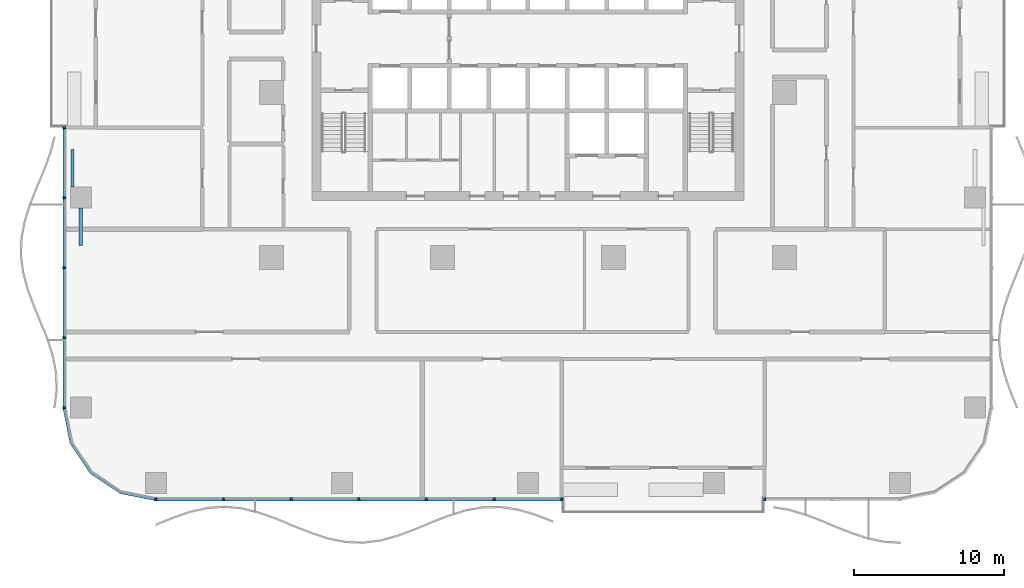
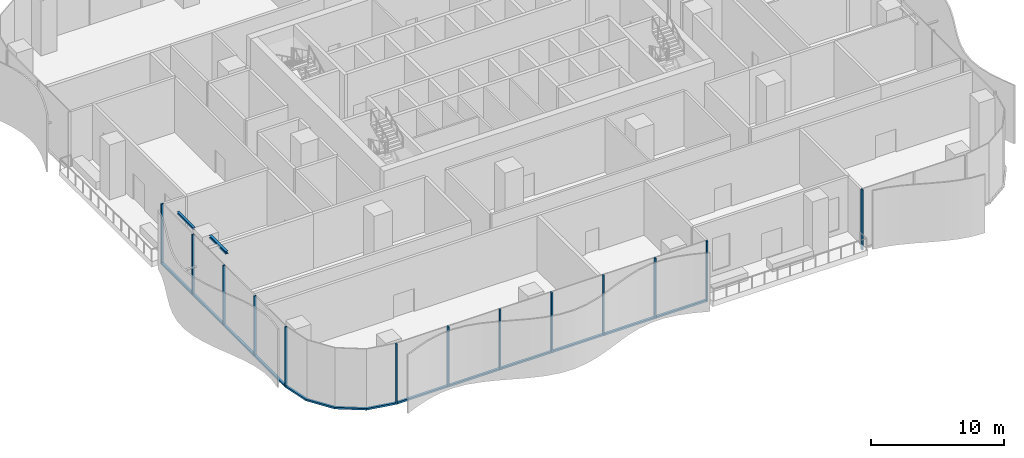
# One storey, part 2 of 20: 24 members, 2 beams, 4 elements without a shape of their own.
"""IFC4 building model written with IfcOpenShell, lengths in metres."""

from ifc_helpers import new_model, si_unit, direction, frame, origin, origin_2d, place, context, subcontext, project, spatial, polyline, rectangle, i_section, outline, extrude, material, material_profile, profile_set, type_object, element, aggregate, save


model = new_model("IFC4")

# Units and contexts
model_context = context("Model", 3, precision=1e-05, world=origin(), true_north=direction((0.0, 1.0)))
body_context = subcontext(model_context, "Body", "Model", "MODEL_VIEW")
ifc_project = project(units=[si_unit("LENGTHUNIT", "METRE"), si_unit("AREAUNIT", "SQUARE_METRE"), si_unit("VOLUMEUNIT", "CUBIC_METRE"), si_unit("PLANEANGLEUNIT", "RADIAN"), si_unit("MASSUNIT", "GRAM", prefix="KILO")], contexts=[model_context])

# Site, building, storey
site_placement = place(None, origin())
site = spatial("IfcSite", under=ifc_project, at=site_placement, CompositionType="ELEMENT")
building_placement = place(site_placement, origin())
building = spatial("IfcBuilding", under=site, at=building_placement, Name="Mopane Tessera Tower", CompositionType="ELEMENT")
storey_placement = place(building_placement, frame((0.0, 0.0, 25.5)))
storey = spatial("IfcBuildingStorey", under=building, at=storey_placement, Name="L04", CompositionType="ELEMENT", Elevation=25.5)

# Curtain wall, members
ifc_material_1 = material(Name="Aluminium frame", Category="aluminium")
curtain_wall_type = type_object("IfcCurtainWallType", Name="Podium unitised wall", PredefinedType="NOTDEFINED", material=ifc_material_1)
curtain_wall_1_placement = place(storey_placement, origin())
curtain_wall_1 = element("IfcCurtainWall", 1, at=curtain_wall_1_placement, inside=storey, type_object=curtain_wall_type, Name="e:cw:L04:S:0", PredefinedType="NOTDEFINED")
ifc_material_2 = material(Name="Aluminium frame", Category="aluminium")
ifc_material_profile_1 = material_profile(ifc_material_2, rectangle(XDim=0.125, YDim=0.199951171875, at=origin_2d()))
ifc_profile_set_1 = profile_set([ifc_material_profile_1], Name="Aluminium frame")
member_type_1 = type_object("IfcMemberType", Name="Aluminium mullion 125 x 200", PredefinedType="MULLION", material=ifc_profile_set_1)
member_1_placement = place(storey_placement, frame((-24.800048828125, -27.10009765625, -0.5), z_axis=(0.0, 0.0, 1.0), x_axis=(1.0, 0.0, 0.0)))
member_1 = element("IfcMember", 2, at=member_1_placement, type_object=member_type_1, Name="e:cw:L04:S:0:mu0", PredefinedType="MULLION", context=body_context, shape_type="SweptSolid", body=[
    extrude(rectangle(XDim=0.125, YDim=0.199951171875, at=origin_2d()), origin(), (0.0, 0.0, 1.0), 5.550048828125),
])
member_2_placement = place(storey_placement, frame((-20.291015625, -27.10009765625, -0.5), z_axis=(0.0, 0.0, 1.0), x_axis=(1.0, 0.0, 0.0)))
member_2 = element("IfcMember", 3, at=member_2_placement, type_object=member_type_1, Name="e:cw:L04:S:0:mu1", PredefinedType="MULLION", context=body_context, shape_type="SweptSolid", body=[
    extrude(rectangle(XDim=0.125, YDim=0.199951171875, at=origin_2d()), origin(), (0.0, 0.0, 1.0), 5.550048828125),
])
member_3_placement = place(storey_placement, frame((-15.78173828125, -27.10009765625, -0.5), z_axis=(0.0, 0.0, 1.0), x_axis=(1.0, 0.0, 0.0)))
member_3 = element("IfcMember", 4, at=member_3_placement, type_object=member_type_1, Name="e:cw:L04:S:0:mu2", PredefinedType="MULLION", context=body_context, shape_type="SweptSolid", body=[
    extrude(rectangle(XDim=0.125, YDim=0.199951171875, at=origin_2d()), origin(), (0.0, 0.0, 1.0), 5.550048828125),
])
member_4_placement = place(storey_placement, frame((-11.272705078125, -27.10009765625, -0.5), z_axis=(0.0, 0.0, 1.0), x_axis=(1.0, 0.0, 0.0)))
member_4 = element("IfcMember", 5, at=member_4_placement, type_object=member_type_1, Name="e:cw:L04:S:0:mu3", PredefinedType="MULLION", context=body_context, shape_type="SweptSolid", body=[
    extrude(rectangle(XDim=0.125, YDim=0.199951171875, at=origin_2d()), origin(), (0.0, 0.0, 1.0), 5.550048828125),
])
member_5_placement = place(storey_placement, frame((-6.763671875, -27.10009765625, -0.5), z_axis=(0.0, 0.0, 1.0), x_axis=(1.0, 0.0, 0.0)))
member_5 = element("IfcMember", 6, at=member_5_placement, type_object=member_type_1, Name="e:cw:L04:S:0:mu4", PredefinedType="MULLION", context=body_context, shape_type="SweptSolid", body=[
    extrude(rectangle(XDim=0.125, YDim=0.199951171875, at=origin_2d()), origin(), (0.0, 0.0, 1.0), 5.550048828125),
])
member_6_placement = place(storey_placement, frame((-2.254638671875, -27.10009765625, -0.5), z_axis=(0.0, 0.0, 1.0), x_axis=(1.0, 0.0, 0.0)))
member_6 = element("IfcMember", 7, at=member_6_placement, type_object=member_type_1, Name="e:cw:L04:S:0:mu5", PredefinedType="MULLION", context=body_context, shape_type="SweptSolid", body=[
    extrude(rectangle(XDim=0.125, YDim=0.199951171875, at=origin_2d()), origin(), (0.0, 0.0, 1.0), 5.550048828125),
])
member_7_placement = place(storey_placement, frame((2.254638671875, -27.10009765625, -0.5), z_axis=(0.0, 0.0, 1.0), x_axis=(1.0, 0.0, 0.0)))
member_7 = element("IfcMember", 8, at=member_7_placement, type_object=member_type_1, Name="e:cw:L04:S:0:mu6", PredefinedType="MULLION", context=body_context, shape_type="SweptSolid", body=[
    extrude(rectangle(XDim=0.125, YDim=0.199951171875, at=origin_2d()), origin(), (0.0, 0.0, 1.0), 5.550048828125),
])

# Curtain wall, member
curtain_wall_2_placement = place(storey_placement, origin())
curtain_wall_2 = element("IfcCurtainWall", 9, at=curtain_wall_2_placement, inside=storey, type_object=curtain_wall_type, Name="e:cw:L04:S:9", PredefinedType="NOTDEFINED")
member_8_placement = place(storey_placement, frame((15.78173828125, -27.10009765625, -0.5), z_axis=(0.0, 0.0, 1.0), x_axis=(1.0, 0.0, 0.0)))
member_8 = element("IfcMember", 10, at=member_8_placement, type_object=member_type_1, Name="e:cw:L04:S:9:mu9", PredefinedType="MULLION", context=body_context, shape_type="SweptSolid", body=[
    extrude(rectangle(XDim=0.125, YDim=0.199951171875, at=origin_2d()), origin(), (0.0, 0.0, 1.0), 5.550048828125),
])
aggregate(curtain_wall_2, [member_8])

# Curtain wall, members
curtain_wall_3_placement = place(storey_placement, origin())
curtain_wall_3 = element("IfcCurtainWall", 11, at=curtain_wall_3_placement, inside=storey, type_object=curtain_wall_type, Name="e:cw:L04:W:5", PredefinedType="NOTDEFINED")
member_9_placement = place(storey_placement, frame((-30.89990234375, -2.333251953125, -0.5), z_axis=(0.0, 0.0, 1.0), x_axis=(0.0, -1.0, 0.0)))
member_9 = element("IfcMember", 12, at=member_9_placement, type_object=member_type_1, Name="e:cw:L04:W:5:mu5", PredefinedType="MULLION", context=body_context, shape_type="SweptSolid", body=[
    extrude(rectangle(XDim=0.125, YDim=0.199951171875, at=origin_2d()), origin(), (0.0, 0.0, 1.0), 5.550048828125),
])
member_10_placement = place(storey_placement, frame((-30.89990234375, -7.0, -0.5), z_axis=(0.0, 0.0, 1.0), x_axis=(0.0, -1.0, 0.0)))
member_10 = element("IfcMember", 13, at=member_10_placement, type_object=member_type_1, Name="e:cw:L04:W:5:mu6", PredefinedType="MULLION", context=body_context, shape_type="SweptSolid", body=[
    extrude(rectangle(XDim=0.125, YDim=0.199951171875, at=origin_2d()), origin(), (0.0, 0.0, 1.0), 5.550048828125),
])
member_11_placement = place(storey_placement, frame((-30.89990234375, -11.666748046875, -0.5), z_axis=(0.0, 0.0, 1.0), x_axis=(0.0, -1.0, 0.0)))
member_11 = element("IfcMember", 14, at=member_11_placement, type_object=member_type_1, Name="e:cw:L04:W:5:mu7", PredefinedType="MULLION", context=body_context, shape_type="SweptSolid", body=[
    extrude(rectangle(XDim=0.125, YDim=0.199951171875, at=origin_2d()), origin(), (0.0, 0.0, 1.0), 5.550048828125),
])
member_12_placement = place(storey_placement, frame((-30.89990234375, -16.333251953125, -0.5), z_axis=(0.0, 0.0, 1.0), x_axis=(0.0, -1.0, 0.0)))
member_12 = element("IfcMember", 15, at=member_12_placement, type_object=member_type_1, Name="e:cw:L04:W:5:mu8", PredefinedType="MULLION", context=body_context, shape_type="SweptSolid", body=[
    extrude(rectangle(XDim=0.125, YDim=0.199951171875, at=origin_2d()), origin(), (0.0, 0.0, 1.0), 5.550048828125),
])
member_13_placement = place(storey_placement, frame((-30.89990234375, -21.0, -0.5), z_axis=(0.0, 0.0, 1.0), x_axis=(0.0, -1.0, 0.0)))
member_13 = element("IfcMember", 16, at=member_13_placement, type_object=member_type_1, Name="e:cw:L04:W:5:mu9", PredefinedType="MULLION", context=body_context, shape_type="SweptSolid", body=[
    extrude(rectangle(XDim=0.125, YDim=0.199951171875, at=origin_2d()), origin(), (0.0, 0.0, 1.0), 5.550048828125),
])

# Member
ifc_material_3 = material(Name="Aluminium frame", Category="aluminium")
ifc_material_profile_2 = material_profile(ifc_material_3, rectangle(XDim=0.199951171875, YDim=0.159912109375, at=origin_2d()))
ifc_profile_set_2 = profile_set([ifc_material_profile_2], Name="Aluminium frame")
member_type_2 = type_object("IfcMemberType", Name="Aluminium transom 200 x 160", PredefinedType="USERDEFINED", material=ifc_profile_set_2)
member_14_placement = place(storey_placement, frame((-24.737548828125, -27.10009765625, -0.419921875), z_axis=(1.0, 0.0, 0.0), x_axis=(0.0, 1.0, 0.0)))
member_14 = element("IfcMember", 17, at=member_14_placement, type_object=member_type_2, Name="e:cw:L04:S:0:tr0", ObjectType="TRANSOM", PredefinedType="USERDEFINED", context=body_context, shape_type="SweptSolid", body=[
    extrude(rectangle(XDim=0.199951171875, YDim=0.159912109375, at=origin_2d()), origin(), (0.0, 0.0, 1.0), 4.384033203125),
])

member_15_placement = place(storey_placement, frame((-20.228515625, -27.10009765625, -0.419921875), z_axis=(1.0, 0.0, 0.0), x_axis=(0.0, 1.0, 0.0)))
member_15 = element("IfcMember", 18, at=member_15_placement, type_object=member_type_2, Name="e:cw:L04:S:0:tr1", ObjectType="TRANSOM", PredefinedType="USERDEFINED", context=body_context, shape_type="SweptSolid", body=[
    extrude(rectangle(XDim=0.199951171875, YDim=0.159912109375, at=origin_2d()), origin(), (0.0, 0.0, 1.0), 4.38427734375),
])

member_16_placement = place(storey_placement, frame((-15.71923828125, -27.10009765625, -0.419921875), z_axis=(1.0, 0.0, 0.0), x_axis=(0.0, 1.0, 0.0)))
member_16 = element("IfcMember", 19, at=member_16_placement, type_object=member_type_2, Name="e:cw:L04:S:0:tr2", ObjectType="TRANSOM", PredefinedType="USERDEFINED", context=body_context, shape_type="SweptSolid", body=[
    extrude(rectangle(XDim=0.199951171875, YDim=0.159912109375, at=origin_2d()), origin(), (0.0, 0.0, 1.0), 4.384033203125),
])

member_17_placement = place(storey_placement, frame((-11.210205078125, -27.10009765625, -0.419921875), z_axis=(1.0, 0.0, 0.0), x_axis=(0.0, 1.0, 0.0)))
member_17 = element("IfcMember", 20, at=member_17_placement, type_object=member_type_2, Name="e:cw:L04:S:0:tr3", ObjectType="TRANSOM", PredefinedType="USERDEFINED", context=body_context, shape_type="SweptSolid", body=[
    extrude(rectangle(XDim=0.199951171875, YDim=0.159912109375, at=origin_2d()), origin(), (0.0, 0.0, 1.0), 4.384033203125),
])

member_18_placement = place(storey_placement, frame((-6.701171875, -27.10009765625, -0.419921875), z_axis=(1.0, 0.0, 0.0), x_axis=(0.0, 1.0, 0.0)))
member_18 = element("IfcMember", 21, at=member_18_placement, type_object=member_type_2, Name="e:cw:L04:S:0:tr4", ObjectType="TRANSOM", PredefinedType="USERDEFINED", context=body_context, shape_type="SweptSolid", body=[
    extrude(rectangle(XDim=0.199951171875, YDim=0.159912109375, at=origin_2d()), origin(), (0.0, 0.0, 1.0), 4.384033203125),
])

member_19_placement = place(storey_placement, frame((-2.192138671875, -27.10009765625, -0.419921875), z_axis=(1.0, 0.0, 0.0), x_axis=(0.0, 1.0, 0.0)))
member_19 = element("IfcMember", 22, at=member_19_placement, type_object=member_type_2, Name="e:cw:L04:S:0:tr5", ObjectType="TRANSOM", PredefinedType="USERDEFINED", context=body_context, shape_type="SweptSolid", body=[
    extrude(rectangle(XDim=0.199951171875, YDim=0.159912109375, at=origin_2d()), origin(), (0.0, 0.0, 1.0), 4.38427734375),
])

aggregate(curtain_wall_1, [member_1, member_2, member_3, member_4, member_5, member_6, member_7, member_14, member_15, member_16, member_17, member_18, member_19])

member_20_placement = place(storey_placement, frame((-30.89990234375, -2.395751953125, -0.419921875), z_axis=(0.0, -1.0, 0.0), x_axis=(1.0, 0.0, 0.0)))
member_20 = element("IfcMember", 23, at=member_20_placement, type_object=member_type_2, Name="e:cw:L04:W:5:tr5", ObjectType="TRANSOM", PredefinedType="USERDEFINED", context=body_context, shape_type="SweptSolid", body=[
    extrude(rectangle(XDim=0.199951171875, YDim=0.159912109375, at=origin_2d()), origin(), (0.0, 0.0, 1.0), 4.541748046875),
])

member_21_placement = place(storey_placement, frame((-30.89990234375, -7.0625, -0.419921875), z_axis=(0.0, -1.0, 0.0), x_axis=(1.0, 0.0, 0.0)))
member_21 = element("IfcMember", 24, at=member_21_placement, type_object=member_type_2, Name="e:cw:L04:W:5:tr6", ObjectType="TRANSOM", PredefinedType="USERDEFINED", context=body_context, shape_type="SweptSolid", body=[
    extrude(rectangle(XDim=0.199951171875, YDim=0.159912109375, at=origin_2d()), origin(), (0.0, 0.0, 1.0), 4.541748046875),
])

member_22_placement = place(storey_placement, frame((-30.89990234375, -11.729248046875, -0.419921875), z_axis=(0.0, -1.0, 0.0), x_axis=(1.0, 0.0, 0.0)))
member_22 = element("IfcMember", 25, at=member_22_placement, type_object=member_type_2, Name="e:cw:L04:W:5:tr7", ObjectType="TRANSOM", PredefinedType="USERDEFINED", context=body_context, shape_type="SweptSolid", body=[
    extrude(rectangle(XDim=0.199951171875, YDim=0.159912109375, at=origin_2d()), origin(), (0.0, 0.0, 1.0), 4.54150390625),
])

member_23_placement = place(storey_placement, frame((-30.89990234375, -16.395751953125, -0.419921875), z_axis=(0.0, -1.0, 0.0), x_axis=(1.0, 0.0, 0.0)))
member_23 = element("IfcMember", 26, at=member_23_placement, type_object=member_type_2, Name="e:cw:L04:W:5:tr8", ObjectType="TRANSOM", PredefinedType="USERDEFINED", context=body_context, shape_type="SweptSolid", body=[
    extrude(rectangle(XDim=0.199951171875, YDim=0.159912109375, at=origin_2d()), origin(), (0.0, 0.0, 1.0), 4.541748046875),
])

aggregate(curtain_wall_3, [member_9, member_10, member_11, member_12, member_13, member_20, member_21, member_22, member_23])

# Curtain wall, member
curtain_wall_4_placement = place(storey_placement, origin())
curtain_wall_4 = element("IfcCurtainWall", 27, at=curtain_wall_4_placement, inside=storey, type_object=curtain_wall_type, Name="e:cw:L04:CW", PredefinedType="NOTDEFINED")
member_24_placement = place(storey_placement, frame((0.0, 0.0, -0.5)))
member_24 = element("IfcMember", 28, at=member_24_placement, type_object=member_type_2, Name="e:cw:L04:CW:tr", ObjectType="TRANSOM", PredefinedType="USERDEFINED", context=body_context, shape_type="SweptSolid", body=[
    extrude(outline(polyline([(-30.800048828125, -21.0), (-30.34326171875, -23.296142578125), (-29.042724609375, -25.24267578125), (-27.09619140625, -26.543212890625), (-24.800048828125, -27.0), (-24.800048828125, -27.199951171875), (-27.172607421875, -26.72802734375), (-29.18408203125, -25.384033203125), (-30.528076171875, -23.37255859375), (-31.0, -21.0), (-30.800048828125, -21.0)])), origin(), (0.0, 0.0, 1.0), 0.159912109375),
])
aggregate(curtain_wall_4, [member_24])

# Beams
ifc_material_4 = material(Name="Structural steel S460", Category="steel")
ifc_material_profile_3 = material_profile(ifc_material_4, i_section(OverallWidth=0.239990234375, OverallDepth=0.239990234375, WebThickness=0.010009765625, FlangeThickness=0.01708984375, FilletRadius=0.02099609375, at=origin_2d()))
ifc_profile_set_3 = profile_set([ifc_material_profile_3], Name="Structural steel S460")
beam_type_1 = type_object("IfcBeamType", Name="Terrace spandrel beam HE 240 B", PredefinedType="SPANDREL", material=ifc_profile_set_3)
beam_1_placement = place(storey_placement, frame((-29.800048828125, -7.702880859375, 4.929931640625), z_axis=(0.0, -1.0, 0.0), x_axis=(1.0, 0.0, 0.0)))
element("IfcBeam", 29, at=beam_1_placement, inside=storey, type_object=beam_type_1, Name="Terrace spandrel beam N3 L05", PredefinedType="SPANDREL", context=body_context, shape_type="SweptSolid", body=[
    extrude(i_section(OverallWidth=0.239990234375, OverallDepth=0.239990234375, WebThickness=0.010009765625, FlangeThickness=0.01708984375, FilletRadius=0.02099609375, at=origin_2d()), origin(), (0.0, 0.0, 1.0), 2.5),
])
ifc_material_5 = material(Name="Structural steel S460", Category="steel")
ifc_material_profile_4 = material_profile(ifc_material_5, i_section(OverallWidth=0.199951171875, OverallDepth=0.199951171875, WebThickness=0.009033203125, FlangeThickness=0.014892578125, FilletRadius=0.01806640625, at=origin_2d()))
ifc_profile_set_4 = profile_set([ifc_material_profile_4], Name="Structural steel S460")
beam_type_2 = type_object("IfcBeamType", Name="Terrace trimmer beam HE 200 B", PredefinedType="BEAM", material=ifc_profile_set_4)
beam_2_placement = place(storey_placement, frame((-30.360107421875, -6.297119140625, 4.949951171875), z_axis=(0.0, 1.0, 0.0), x_axis=(-1.0, 0.0, 0.0)))
element("IfcBeam", 30, at=beam_2_placement, inside=storey, type_object=beam_type_2, Name="Terrace trimmer beam N3 L05", PredefinedType="BEAM", context=body_context, shape_type="SweptSolid", body=[
    extrude(i_section(OverallWidth=0.199951171875, OverallDepth=0.199951171875, WebThickness=0.009033203125, FlangeThickness=0.014892578125, FilletRadius=0.01806640625, at=origin_2d()), origin(), (0.0, 0.0, 1.0), 2.5),
])

save(model, "model.ifc")
